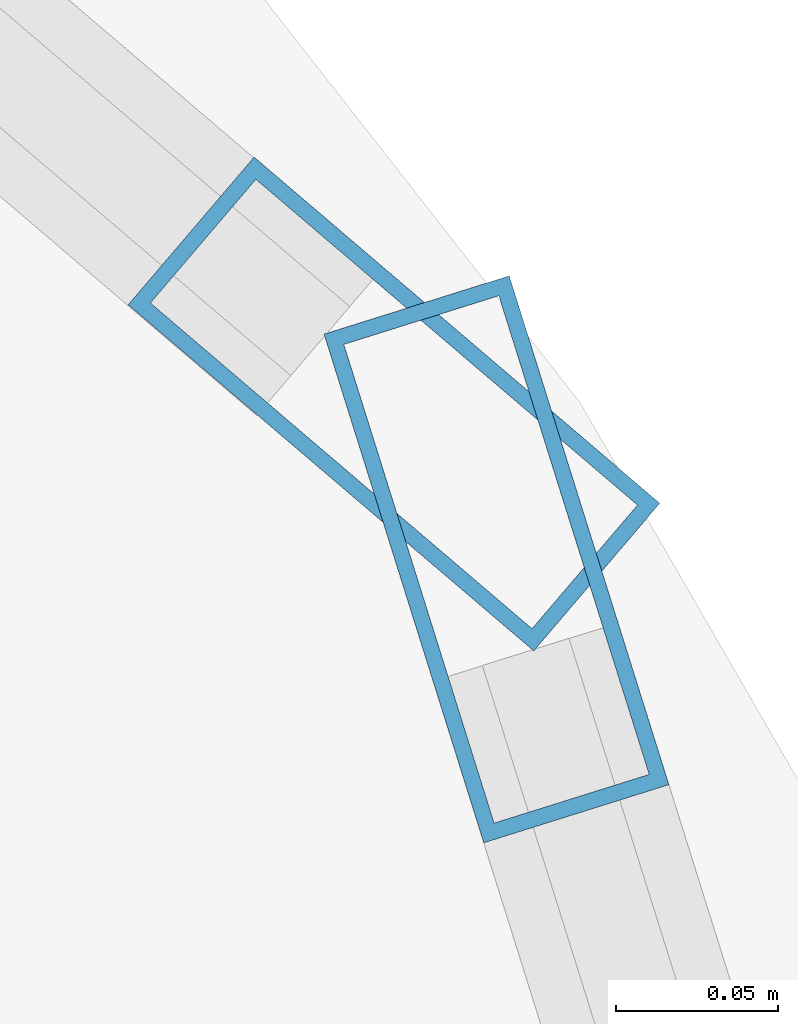
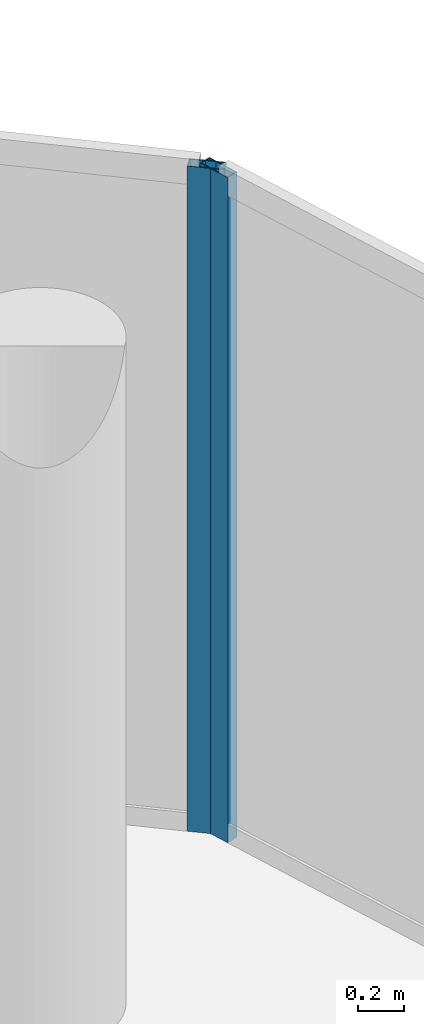
# One storey, part 14 of 24: 2 members, 2 elements without a shape of their own.
"""IFC4 building model written with IfcOpenShell, lengths in metres."""

from ifc_helpers import new_model, si_unit, direction, frame, origin, origin_2d, place, context, subcontext, project, spatial, hollow_rectangle, extrude, material, layer, layer_set, material_profile, profile_set, type_object, element, aggregate, save


model = new_model("IFC4")

# Units and contexts
model_context = context("Model", 3, precision=1e-05, world=origin(), true_north=direction((0.0, 1.0)))
body_context = subcontext(model_context, "Body", "Model", "MODEL_VIEW")
ifc_project = project(units=[si_unit("LENGTHUNIT", "METRE"), si_unit("AREAUNIT", "SQUARE_METRE"), si_unit("VOLUMEUNIT", "CUBIC_METRE"), si_unit("PLANEANGLEUNIT", "RADIAN"), si_unit("MASSUNIT", "GRAM", prefix="KILO")], contexts=[model_context])

# Site, building, storey
site_placement = place(None, origin())
site = spatial("IfcSite", under=ifc_project, at=site_placement, CompositionType="ELEMENT")
building_placement = place(site_placement, origin())
building = spatial("IfcBuilding", under=site, at=building_placement, Name="Nuhasar Tower", CompositionType="ELEMENT")
storey_placement = place(building_placement, frame((0.0, 0.0, 286.0)))
storey = spatial("IfcBuildingStorey", under=building, at=storey_placement, Name="L71", CompositionType="ELEMENT", Elevation=286.0)

# Curtain wall, member
ifc_material = material(Name="Aluminium 6063-T6", Category="aluminium")
ifc_layer = layer(ifc_material, 0.18994140625)
ifc_layer_set = layer_set([ifc_layer], Name="Aluminium 6063-T6")
curtain_wall_type = type_object("IfcCurtainWallType", Name="CW-Z4-PEN", PredefinedType="NOTDEFINED", material=ifc_layer_set)
curtain_wall_1_placement = place(storey_placement, origin())
curtain_wall_1 = element("IfcCurtainWall", 1, at=curtain_wall_1_placement, inside=storey, type_object=curtain_wall_type, Name="L71 Unitised Curtain Wall 01", PredefinedType="NOTDEFINED")
ifc_material_profile = material_profile(ifc_material, hollow_rectangle(XDim=0.06005859375, YDim=0.1650390625, WallThickness=0.0048828125, at=origin_2d()), Name="CWM-5")
ifc_profile_set = profile_set([ifc_material_profile], Name="Aluminium 6063-T6")
member_type = type_object("IfcMemberType", Name="CW-MUL-S5", PredefinedType="MULLION", material=ifc_profile_set)
member_1_placement = place(storey_placement, frame((56.72802734375, 35.50146484375, 0.0), z_axis=(0.0, 0.0, 1.0), x_axis=(-0.954078526601, -0.299556614146, 0.0)))
member_1 = element("IfcMember", 2, at=member_1_placement, type_object=member_type, Name="CW-Z4 mullion 2", PredefinedType="MULLION", context=body_context, shape_type="SweptSolid", body=[
    extrude(hollow_rectangle(XDim=0.06005859375, YDim=0.1650390625, WallThickness=0.0048828125, at=origin_2d()), origin(), (0.0, 0.0, 1.0), 3.5400390625),
])
aggregate(curtain_wall_1, [member_1])

curtain_wall_2_placement = place(storey_placement, origin())
curtain_wall_2 = element("IfcCurtainWall", 3, at=curtain_wall_2_placement, inside=storey, type_object=curtain_wall_type, Name="L71 Unitised Curtain Wall 02", PredefinedType="NOTDEFINED")
member_2_placement = place(storey_placement, frame((56.6962890625, 35.549560546875, 0.0), z_axis=(0.0, 0.0, 1.0), x_axis=(-0.649141996205, -0.760667252327, 0.0)))
member_2 = element("IfcMember", 4, at=member_2_placement, type_object=member_type, Name="CW-Z4 mullion 1", PredefinedType="MULLION", context=body_context, shape_type="SweptSolid", body=[
    extrude(hollow_rectangle(XDim=0.06005859375, YDim=0.1650390625, WallThickness=0.0048828125, at=origin_2d()), origin(), (0.0, 0.0, 1.0), 3.5400390625),
])
aggregate(curtain_wall_2, [member_2])

save(model, "model.ifc")
